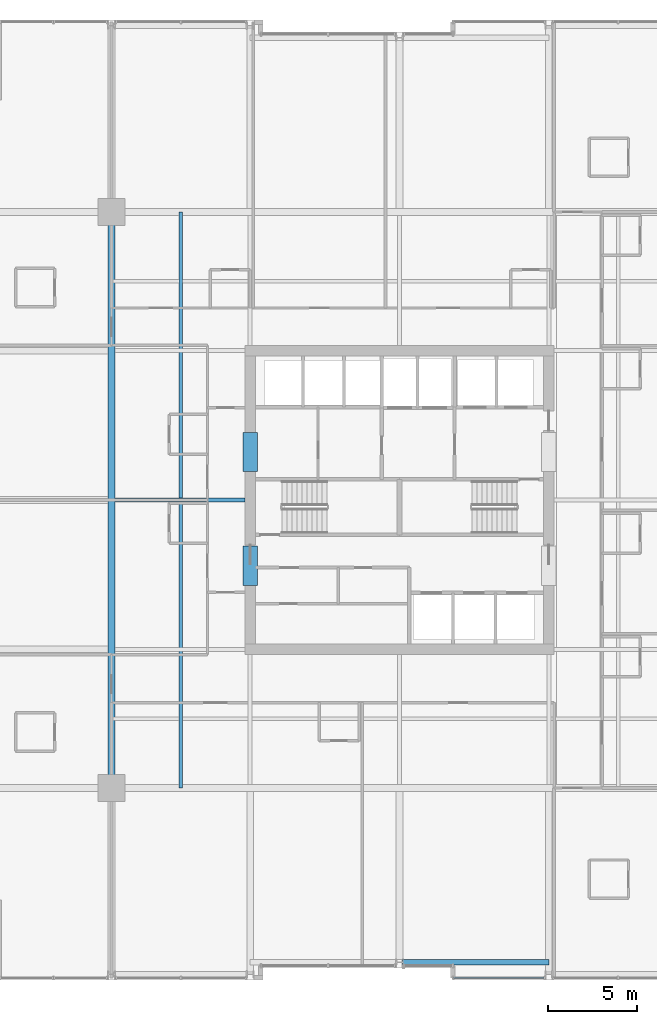
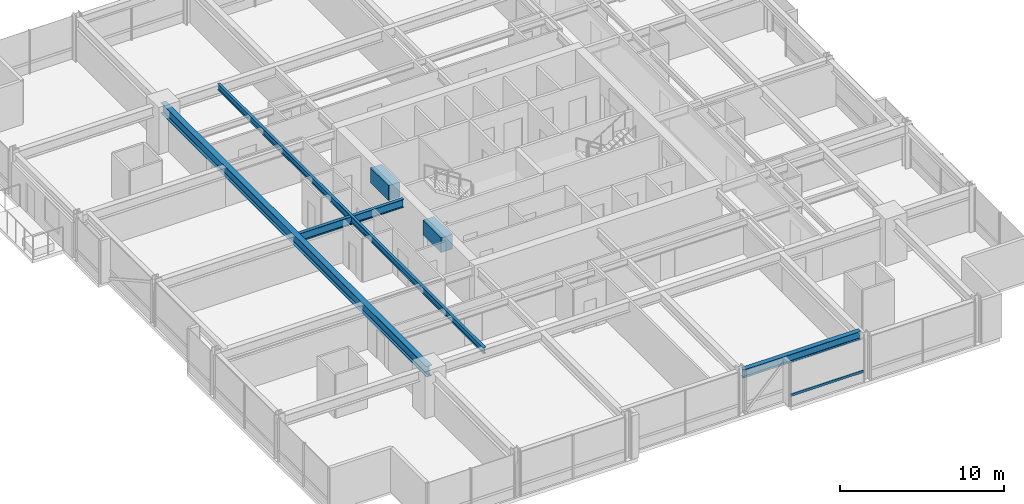
# One storey, part 10 of 34: 6 beams, 1 member, 1 element without a shape of its own.
"""IFC4 building model written with IfcOpenShell, lengths in metres."""

from ifc_helpers import new_model, si_unit, direction, frame, origin, origin_2d, place, context, subcontext, project, spatial, rectangle, hollow_rectangle, i_section, extrude, material, layer, layer_set, material_profile, profile_set, type_object, element, aggregate, save


model = new_model("IFC4")

# Units and contexts
model_context = context("Model", 3, precision=1e-05, world=origin(), true_north=direction((0.0, 1.0)))
body_context = subcontext(model_context, "Body", "Model", "MODEL_VIEW")
ifc_project = project(units=[si_unit("LENGTHUNIT", "METRE"), si_unit("AREAUNIT", "SQUARE_METRE"), si_unit("VOLUMEUNIT", "CUBIC_METRE"), si_unit("PLANEANGLEUNIT", "RADIAN"), si_unit("MASSUNIT", "GRAM", prefix="KILO")], contexts=[model_context])

# Site, building, storey
site_placement = place(None, origin())
site = spatial("IfcSite", under=ifc_project, at=site_placement, CompositionType="ELEMENT")
building_placement = place(site_placement, origin())
building = spatial("IfcBuilding", under=site, at=building_placement, Name="Drelvath Grand Hotel", CompositionType="ELEMENT")
storey_placement = place(building_placement, frame((0.0, 0.0, 109.300048828125)))
storey = spatial("IfcBuildingStorey", under=building, at=storey_placement, Name="L27", CompositionType="ELEMENT", Elevation=109.300048828125)

# Beams
ifc_material_1 = material(Name="Steel ASTM A992 Gr 50", Category="steel")
ifc_material_profile_1 = material_profile(ifc_material_1, i_section(OverallWidth=0.19140625, OverallDepth=0.4599609375, WebThickness=0.010009765625, FlangeThickness=0.01611328125, FilletRadius=0.01611328125, at=origin_2d()), Name="W18X55")
ifc_profile_set_1 = profile_set([ifc_material_profile_1], Name="Steel ASTM A992 Gr 50")
beam_type_1 = type_object("IfcBeamType", Name="Composite Floor Joist W18X55", PredefinedType="JOIST", material=ifc_profile_set_1)
beam_1_placement = place(storey_placement, frame((-12.300048828125, 10.800048828125, 3.010009765625), z_axis=(0.0, 1.0, 0.0), x_axis=(-1.0, 0.0, 0.0)))
element("IfcBeam", 1, at=beam_1_placement, inside=storey, type_object=beam_type_1, Name="L27 Wing Floor Joist J3", PredefinedType="JOIST", context=body_context, shape_type="SweptSolid", body=[
    extrude(i_section(OverallWidth=0.19140625, OverallDepth=0.4599609375, WebThickness=0.010009765625, FlangeThickness=0.01611328125, FilletRadius=0.01611328125, at=origin_2d()), origin(), (0.0, 0.0, 1.0), 32.39990234375),
])
ifc_material_2 = material(Name="Concrete f'c 70 MPa", Category="concrete")
ifc_material_profile_2 = material_profile(ifc_material_2, rectangle(XDim=0.800048828125, YDim=1.10009765625, at=origin_2d()), Name="CB800X1100")
ifc_profile_set_2 = profile_set([ifc_material_profile_2], Name="Concrete f'c 70 MPa")
beam_type_2 = type_object("IfcBeamType", Name="Core Coupling Lintel CB800X1100", PredefinedType="LINTEL", material=ifc_profile_set_2)
for number, where, z_axis, x_axis, name in (
    (2, (-8.39990234375, 22.199951171875, 2.68994140625), (0.0, 1.0, 0.0), (-1.0, 0.0, 0.0), "L27 Core Coupling Lintel WS"),
    (3, (-8.39990234375, 28.60009765625, 2.68994140625), (0.0, 1.0, 0.0), (-1.0, 0.0, 0.0), "L27 Core Coupling Lintel WN"),
):
    element("IfcBeam", number, at=place(storey_placement, frame(where, z_axis=z_axis, x_axis=x_axis)), inside=storey, type_object=beam_type_2, Name=name, PredefinedType="LINTEL", context=body_context, shape_type="SweptSolid", body=[
        extrude(rectangle(XDim=0.800048828125, YDim=1.10009765625, at=origin_2d()), origin(), (0.0, 0.0, 1.0), 2.199951171875),
    ])

# Curtain wall, member
ifc_material_3 = material(Name="Champagne Bronze Anodised Aluminium Frame", Category="aluminium")
ifc_layer = layer(ifc_material_3, 0.199951171875)
ifc_layer_set = layer_set([ifc_layer], Name="Champagne Bronze Anodised Aluminium Frame")
curtain_wall_type = type_object("IfcCurtainWallType", Name="Stick Curtain Wall CW-03 Champagne Bronze Mid-Rise", PredefinedType="NOTDEFINED", material=ifc_layer_set)
curtain_wall_placement = place(storey_placement, origin())
curtain_wall = element("IfcCurtainWall", 4, at=curtain_wall_placement, inside=storey, type_object=curtain_wall_type, Name="L27 CW-03 Curtain Wall CW03-L27-SE1", PredefinedType="NOTDEFINED")
ifc_material_profile_3 = material_profile(ifc_material_3, hollow_rectangle(XDim=0.074951171875, YDim=0.179931640625, WallThickness=0.0048828125, at=origin_2d()), Name="HSS180X75X5")
ifc_profile_set_3 = profile_set([ifc_material_profile_3], Name="Champagne Bronze Anodised Aluminium Frame")
member_type = type_object("IfcMemberType", Name="Curtain Wall Horizontal Transom CW-03 HSS180X75X5", PredefinedType="USERDEFINED", material=ifc_profile_set_3)
member_placement = place(storey_placement, frame((8.140380859375, 0.1201171875, 0.81005859375), z_axis=(-1.0, 0.0, 0.0), x_axis=(0.0, -1.0, 0.0)))
member = element("IfcMember", 5, at=member_placement, type_object=member_type, Name="CW03-L27-SE1 Sill Transom", ObjectType="TRANSOM", PredefinedType="USERDEFINED", context=body_context, shape_type="SweptSolid", body=[
    extrude(hollow_rectangle(XDim=0.074951171875, YDim=0.179931640625, WallThickness=0.0048828125, at=origin_2d()), origin(), (0.0, 0.0, 1.0), 5.100341796875),
])
aggregate(curtain_wall, [member])

# Beams
ifc_material_profile_4 = material_profile(ifc_material_1, i_section(OverallWidth=0.323974609375, OverallDepth=0.611083984375, WebThickness=0.0126953125, FlangeThickness=0.01904296875, FilletRadius=0.02197265625, at=origin_2d()), Name="W24X104")
ifc_profile_set_4 = profile_set([ifc_material_profile_4], Name="Steel ASTM A992 Gr 50")
beam_type_3 = type_object("IfcBeamType", Name="Perimeter Spandrel Beam W24X104", PredefinedType="SPANDREL", material=ifc_profile_set_4)
beam_2_placement = place(storey_placement, frame((0.139892578125, 1.0, 2.9345703125), z_axis=(1.0, 0.0, 0.0), x_axis=(0.0, 1.0, 0.0)))
element("IfcBeam", 6, at=beam_2_placement, inside=storey, type_object=beam_type_3, Name="L27 Spandrel South Mid E", PredefinedType="SPANDREL", context=body_context, shape_type="SweptSolid", body=[
    extrude(i_section(OverallWidth=0.323974609375, OverallDepth=0.611083984375, WebThickness=0.0126953125, FlangeThickness=0.01904296875, FilletRadius=0.02197265625, at=origin_2d()), origin(), (0.0, 0.0, 1.0), 8.260009765625),
])
ifc_material_profile_5 = material_profile(ifc_material_1, i_section(OverallWidth=0.228271484375, OverallDepth=0.607666015625, WebThickness=0.01123046875, FlangeThickness=0.017333984375, FilletRadius=0.02001953125, at=origin_2d()), Name="W24X76")
ifc_profile_set_5 = profile_set([ifc_material_profile_5], Name="Steel ASTM A992 Gr 50")
beam_type_4 = type_object("IfcBeamType", Name="Primary Floor Girder W24X76", PredefinedType="BEAM", material=ifc_profile_set_5)
beam_3_placement = place(storey_placement, frame((-16.009765625, 27.0, 2.93603515625), z_axis=(1.0, 0.0, 0.0), x_axis=(0.0, 1.0, 0.0)))
element("IfcBeam", 7, at=beam_3_placement, inside=storey, type_object=beam_type_4, Name="L27 West Core Tie E", PredefinedType="BEAM", context=body_context, shape_type="SweptSolid", body=[
    extrude(i_section(OverallWidth=0.228271484375, OverallDepth=0.607666015625, WebThickness=0.01123046875, FlangeThickness=0.017333984375, FilletRadius=0.02001953125, at=origin_2d()), origin(), (0.0, 0.0, 1.0), 7.309814453125),
])
ifc_material_profile_6 = material_profile(ifc_material_1, i_section(OverallWidth=0.380615234375, OverallDepth=0.773193359375, WebThickness=0.0166015625, FlangeThickness=0.027099609375, FilletRadius=0.02490234375, at=origin_2d()), Name="W30X173")
ifc_profile_set_6 = profile_set([ifc_material_profile_6], Name="Steel ASTM A992 Gr 50")
beam_type_5 = type_object("IfcBeamType", Name="Primary Floor Girder W30X173", PredefinedType="BEAM", material=ifc_profile_set_6)
beam_4_placement = place(storey_placement, frame((-16.199951171875, 10.800048828125, 2.853271484375), z_axis=(0.0, 1.0, 0.0), x_axis=(-1.0, 0.0, 0.0)))
element("IfcBeam", 8, at=beam_4_placement, inside=storey, type_object=beam_type_5, Name="L27 Mega Ring Girder West", PredefinedType="BEAM", context=body_context, shape_type="SweptSolid", body=[
    extrude(i_section(OverallWidth=0.380615234375, OverallDepth=0.773193359375, WebThickness=0.0166015625, FlangeThickness=0.027099609375, FilletRadius=0.02490234375, at=origin_2d()), origin(), (0.0, 0.0, 1.0), 32.39990234375),
])

save(model, "model.ifc")
